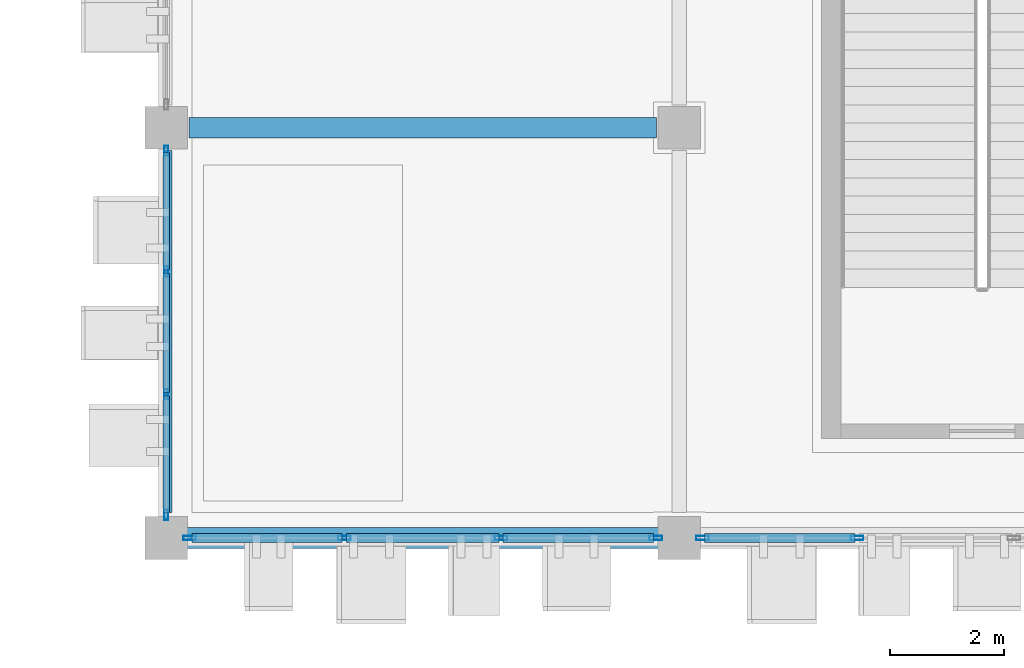
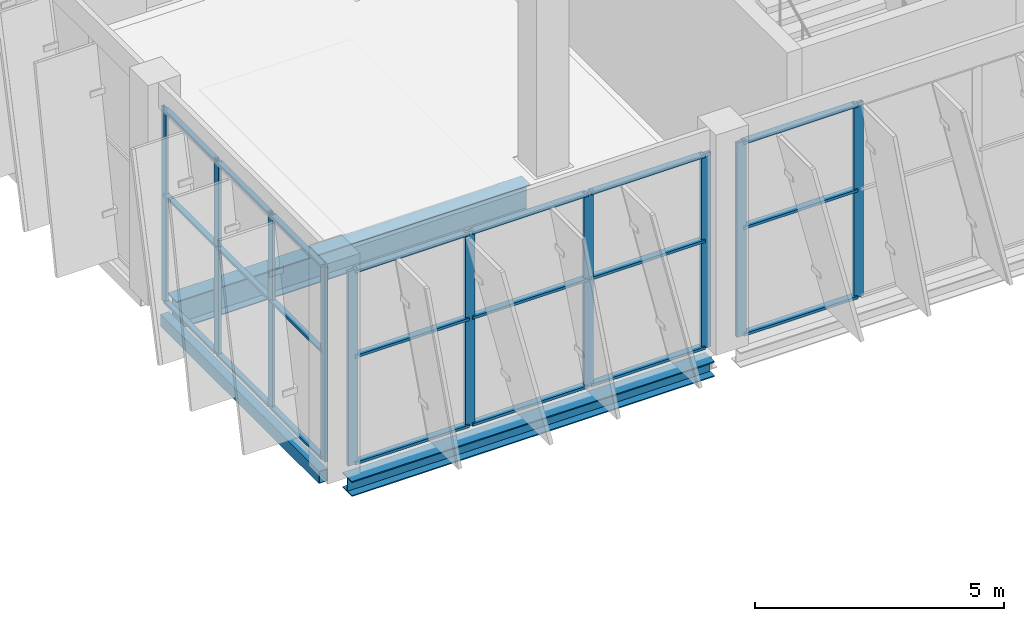
# One storey, part 42 of 189: 31 members, 3 beams, 3 elements without a shape of their own.
"""IFC4 building model written with IfcOpenShell, lengths in metres."""

from ifc_helpers import new_model, si_unit, direction, frame, origin, origin_2d, place, context, subcontext, project, spatial, hollow_rectangle, i_section, extrude, material, layer, layer_set, material_profile, profile_set, type_object, element, aggregate, save


model = new_model("IFC4")

# Units and contexts
model_context = context("Model", 3, precision=1e-05, world=origin(), true_north=direction((0.0, 1.0)))
body_context = subcontext(model_context, "Body", "Model", "MODEL_VIEW")
ifc_project = project(units=[si_unit("LENGTHUNIT", "METRE"), si_unit("AREAUNIT", "SQUARE_METRE"), si_unit("VOLUMEUNIT", "CUBIC_METRE"), si_unit("PLANEANGLEUNIT", "RADIAN"), si_unit("MASSUNIT", "GRAM", prefix="KILO")], contexts=[model_context])

# Site, building, storey
site_placement = place(None, origin())
site = spatial("IfcSite", under=ifc_project, at=site_placement, CompositionType="ELEMENT")
building_placement = place(site_placement, origin())
building = spatial("IfcBuilding", under=site, at=building_placement, Name="Celestram Park Convention Centre", CompositionType="ELEMENT")
storey_placement = place(building_placement, frame((0.0, 0.0, 5.39990234375)))
storey = spatial("IfcBuildingStorey", under=building, at=storey_placement, Name="L01", CompositionType="ELEMENT", Elevation=5.39990234375)

# Curtain wall, members
ifc_material_1 = material(Name="Anodised Aluminium Alloy 6063-T6", Category="aluminium")
ifc_layer_1 = layer(ifc_material_1, 0.179931640625)
ifc_layer_set_1 = layer_set([ifc_layer_1], Name="Anodised Aluminium Alloy 6063-T6")
curtain_wall_type_1 = type_object("IfcCurtainWallType", Name="ARC-CW-645X476", PredefinedType="NOTDEFINED", material=ifc_layer_set_1)
curtain_wall_1_placement = place(storey_placement, origin())
curtain_wall_1 = element("IfcCurtainWall", 1, at=curtain_wall_1_placement, inside=storey, type_object=curtain_wall_type_1, Name="Unitised curtain wall CU-L01-038", PredefinedType="NOTDEFINED")
ifc_material_profile_1 = material_profile(ifc_material_1, hollow_rectangle(XDim=0.06494140625, YDim=0.179931640625, WallThickness=0.00390625, at=origin_2d()), Name="ALU65X180X4")
ifc_profile_set_1 = profile_set([ifc_material_profile_1], Name="Anodised Aluminium Alloy 6063-T6")
member_type_1 = type_object("IfcMemberType", Name="ARC-CWM-150", PredefinedType="MULLION", material=ifc_profile_set_1)
member_1_placement = place(storey_placement, frame((144.0, 0.405517578125, 0.0), z_axis=(0.0, 0.0, 1.0), x_axis=(-1.0, 0.0, 0.0)))
member_1 = element("IfcMember", 2, at=member_1_placement, type_object=member_type_1, Name="CW-64X47 mullion 1", PredefinedType="MULLION", context=body_context, shape_type="SweptSolid", body=[
    extrude(hollow_rectangle(XDim=0.06494140625, YDim=0.179931640625, WallThickness=0.00390625, at=origin_2d()), origin(), (0.0, 0.0, 1.0), 4.76416015625),
])
member_2_placement = place(storey_placement, frame((144.0, 2.5244140625, 0.0), z_axis=(0.0, 0.0, 1.0), x_axis=(-1.0, 0.0, 0.0)))
member_2 = element("IfcMember", 3, at=member_2_placement, type_object=member_type_1, Name="CW-64X47 mullion 2", PredefinedType="MULLION", context=body_context, shape_type="SweptSolid", body=[
    extrude(hollow_rectangle(XDim=0.06494140625, YDim=0.179931640625, WallThickness=0.00390625, at=origin_2d()), origin(), (0.0, 0.0, 1.0), 4.76416015625),
])
member_3_placement = place(storey_placement, frame((144.0, 4.67578125, 0.0), z_axis=(0.0, 0.0, 1.0), x_axis=(-1.0, 0.0, 0.0)))
member_3 = element("IfcMember", 4, at=member_3_placement, type_object=member_type_1, Name="CW-64X47 mullion 3", PredefinedType="MULLION", context=body_context, shape_type="SweptSolid", body=[
    extrude(hollow_rectangle(XDim=0.06494140625, YDim=0.179931640625, WallThickness=0.00390625, at=origin_2d()), origin(), (0.0, 0.0, 1.0), 4.76416015625),
])
member_4_placement = place(storey_placement, frame((144.0, 6.79443359375, 0.0), z_axis=(0.0, 0.0, 1.0), x_axis=(-1.0, 0.0, 0.0)))
member_4 = element("IfcMember", 5, at=member_4_placement, type_object=member_type_1, Name="CW-64X47 mullion 4", PredefinedType="MULLION", context=body_context, shape_type="SweptSolid", body=[
    extrude(hollow_rectangle(XDim=0.06494140625, YDim=0.179931640625, WallThickness=0.00390625, at=origin_2d()), origin(), (0.0, 0.0, 1.0), 4.76416015625),
])

ifc_layer_2 = layer(ifc_material_1, 0.179931640625)
ifc_layer_set_2 = layer_set([ifc_layer_2], Name="Anodised Aluminium Alloy 6063-T6")
curtain_wall_type_2 = type_object("IfcCurtainWallType", Name="ARC-CW-825X476", PredefinedType="NOTDEFINED", material=ifc_layer_set_2)
curtain_wall_2_placement = place(storey_placement, origin())
curtain_wall_2 = element("IfcCurtainWall", 6, at=curtain_wall_2_placement, inside=storey, type_object=curtain_wall_type_2, Name="Unitised curtain wall CU-L01-111", PredefinedType="NOTDEFINED")
ifc_material_profile_2 = material_profile(ifc_material_1, hollow_rectangle(XDim=0.074951171875, YDim=0.219970703125, WallThickness=0.00390625, at=origin_2d()), Name="ALU75X220X4")
ifc_profile_set_2 = profile_set([ifc_material_profile_2], Name="Anodised Aluminium Alloy 6063-T6")
member_type_2 = type_object("IfcMemberType", Name="ARC-CWM-180", PredefinedType="MULLION", material=ifc_profile_set_2)
member_5_placement = place(storey_placement, frame((156.124267578125, 0.0, 0.0), z_axis=(0.0, 0.0, 1.0), x_axis=(0.0, -1.0, 0.0)))
member_5 = element("IfcMember", 7, at=member_5_placement, type_object=member_type_2, Name="CW-82X47 mullion 3", PredefinedType="MULLION", context=body_context, shape_type="SweptSolid", body=[
    extrude(hollow_rectangle(XDim=0.074951171875, YDim=0.219970703125, WallThickness=0.00390625, at=origin_2d()), origin(), (0.0, 0.0, 1.0), 4.76416015625),
])
member_6_placement = place(storey_placement, frame((153.410400390625, 0.0, 0.0), z_axis=(0.0, 0.0, 1.0), x_axis=(0.0, -1.0, 0.0)))
member_6 = element("IfcMember", 8, at=member_6_placement, type_object=member_type_2, Name="CW-82X47 mullion 4", PredefinedType="MULLION", context=body_context, shape_type="SweptSolid", body=[
    extrude(hollow_rectangle(XDim=0.074951171875, YDim=0.219970703125, WallThickness=0.00390625, at=origin_2d()), origin(), (0.0, 0.0, 1.0), 4.76416015625),
])

curtain_wall_3_placement = place(storey_placement, origin())
curtain_wall_3 = element("IfcCurtainWall", 9, at=curtain_wall_3_placement, inside=storey, type_object=curtain_wall_type_2, Name="Unitised curtain wall CU-L01-112", PredefinedType="NOTDEFINED")
member_7_placement = place(storey_placement, frame((152.589599609375, 0.0, 0.0), z_axis=(0.0, 0.0, 1.0), x_axis=(0.0, -1.0, 0.0)))
member_7 = element("IfcMember", 10, at=member_7_placement, type_object=member_type_2, Name="CW-82X47 mullion 1", PredefinedType="MULLION", context=body_context, shape_type="SweptSolid", body=[
    extrude(hollow_rectangle(XDim=0.074951171875, YDim=0.219970703125, WallThickness=0.00390625, at=origin_2d()), origin(), (0.0, 0.0, 1.0), 4.76416015625),
])
member_8_placement = place(storey_placement, frame((149.875732421875, 0.0, 0.0), z_axis=(0.0, 0.0, 1.0), x_axis=(0.0, -1.0, 0.0)))
member_8 = element("IfcMember", 11, at=member_8_placement, type_object=member_type_2, Name="CW-82X47 mullion 2", PredefinedType="MULLION", context=body_context, shape_type="SweptSolid", body=[
    extrude(hollow_rectangle(XDim=0.074951171875, YDim=0.219970703125, WallThickness=0.00390625, at=origin_2d()), origin(), (0.0, 0.0, 1.0), 4.76416015625),
])
member_9_placement = place(storey_placement, frame((147.124267578125, 0.0, 0.0), z_axis=(0.0, 0.0, 1.0), x_axis=(0.0, -1.0, 0.0)))
member_9 = element("IfcMember", 12, at=member_9_placement, type_object=member_type_2, Name="CW-82X47 mullion 3", PredefinedType="MULLION", context=body_context, shape_type="SweptSolid", body=[
    extrude(hollow_rectangle(XDim=0.074951171875, YDim=0.219970703125, WallThickness=0.00390625, at=origin_2d()), origin(), (0.0, 0.0, 1.0), 4.76416015625),
])
member_10_placement = place(storey_placement, frame((144.410400390625, 0.0, 0.0), z_axis=(0.0, 0.0, 1.0), x_axis=(0.0, -1.0, 0.0)))
member_10 = element("IfcMember", 13, at=member_10_placement, type_object=member_type_2, Name="CW-82X47 mullion 4", PredefinedType="MULLION", context=body_context, shape_type="SweptSolid", body=[
    extrude(hollow_rectangle(XDim=0.074951171875, YDim=0.219970703125, WallThickness=0.00390625, at=origin_2d()), origin(), (0.0, 0.0, 1.0), 4.76416015625),
])

# Member
ifc_material_profile_3 = material_profile(ifc_material_1, hollow_rectangle(XDim=0.1201171875, YDim=0.06005859375, WallThickness=0.0029296875, at=origin_2d()), Name="ALU120X60X3")
ifc_profile_set_3 = profile_set([ifc_material_profile_3], Name="Anodised Aluminium Alloy 6063-T6")
member_type_3 = type_object("IfcMemberType", Name="ARC-CWT-120", PredefinedType="USERDEFINED", material=ifc_profile_set_3)
member_11_placement = place(storey_placement, frame((144.0, 0.43798828125, 0.030029296875), z_axis=(0.0, 1.0, 0.0), x_axis=(-1.0, 0.0, 0.0)))
member_11 = element("IfcMember", 14, at=member_11_placement, type_object=member_type_3, Name="CW-64X47 transom 1.1", ObjectType="TRANSOM", PredefinedType="USERDEFINED", context=body_context, shape_type="SweptSolid", body=[
    extrude(hollow_rectangle(XDim=0.1201171875, YDim=0.06005859375, WallThickness=0.0029296875, at=origin_2d()), origin(), (0.0, 0.0, 1.0), 2.053955078125),
])

member_12_placement = place(storey_placement, frame((144.0, 0.43798828125, 2.650146484375), z_axis=(0.0, 1.0, 0.0), x_axis=(-1.0, 0.0, 0.0)))
member_12 = element("IfcMember", 15, at=member_12_placement, type_object=member_type_3, Name="CW-64X47 transom 1.2", ObjectType="TRANSOM", PredefinedType="USERDEFINED", context=body_context, shape_type="SweptSolid", body=[
    extrude(hollow_rectangle(XDim=0.1201171875, YDim=0.06005859375, WallThickness=0.0029296875, at=origin_2d()), origin(), (0.0, 0.0, 1.0), 2.053955078125),
])

member_13_placement = place(storey_placement, frame((144.0, 0.43798828125, 4.734130859375), z_axis=(0.0, 1.0, 0.0), x_axis=(-1.0, 0.0, 0.0)))
member_13 = element("IfcMember", 16, at=member_13_placement, type_object=member_type_3, Name="CW-64X47 transom 1.3", ObjectType="TRANSOM", PredefinedType="USERDEFINED", context=body_context, shape_type="SweptSolid", body=[
    extrude(hollow_rectangle(XDim=0.1201171875, YDim=0.06005859375, WallThickness=0.0029296875, at=origin_2d()), origin(), (0.0, 0.0, 1.0), 2.053955078125),
])

member_14_placement = place(storey_placement, frame((144.0, 2.556884765625, 0.030029296875), z_axis=(0.0, 1.0, 0.0), x_axis=(-1.0, 0.0, 0.0)))
member_14 = element("IfcMember", 17, at=member_14_placement, type_object=member_type_3, Name="CW-64X47 transom 2.1", ObjectType="TRANSOM", PredefinedType="USERDEFINED", context=body_context, shape_type="SweptSolid", body=[
    extrude(hollow_rectangle(XDim=0.1201171875, YDim=0.06005859375, WallThickness=0.0029296875, at=origin_2d()), origin(), (0.0, 0.0, 1.0), 2.086181640625),
])

member_15_placement = place(storey_placement, frame((144.0, 2.556884765625, 2.650146484375), z_axis=(0.0, 1.0, 0.0), x_axis=(-1.0, 0.0, 0.0)))
member_15 = element("IfcMember", 18, at=member_15_placement, type_object=member_type_3, Name="CW-64X47 transom 2.2", ObjectType="TRANSOM", PredefinedType="USERDEFINED", context=body_context, shape_type="SweptSolid", body=[
    extrude(hollow_rectangle(XDim=0.1201171875, YDim=0.06005859375, WallThickness=0.0029296875, at=origin_2d()), origin(), (0.0, 0.0, 1.0), 2.086181640625),
])

member_16_placement = place(storey_placement, frame((144.0, 2.556884765625, 4.734130859375), z_axis=(0.0, 1.0, 0.0), x_axis=(-1.0, 0.0, 0.0)))
member_16 = element("IfcMember", 19, at=member_16_placement, type_object=member_type_3, Name="CW-64X47 transom 2.3", ObjectType="TRANSOM", PredefinedType="USERDEFINED", context=body_context, shape_type="SweptSolid", body=[
    extrude(hollow_rectangle(XDim=0.1201171875, YDim=0.06005859375, WallThickness=0.0029296875, at=origin_2d()), origin(), (0.0, 0.0, 1.0), 2.086181640625),
])

member_17_placement = place(storey_placement, frame((144.0, 4.708251953125, 0.030029296875), z_axis=(0.0, 1.0, 0.0), x_axis=(-1.0, 0.0, 0.0)))
member_17 = element("IfcMember", 20, at=member_17_placement, type_object=member_type_3, Name="CW-64X47 transom 3.1", ObjectType="TRANSOM", PredefinedType="USERDEFINED", context=body_context, shape_type="SweptSolid", body=[
    extrude(hollow_rectangle(XDim=0.1201171875, YDim=0.06005859375, WallThickness=0.0029296875, at=origin_2d()), origin(), (0.0, 0.0, 1.0), 2.0537109375),
])

member_18_placement = place(storey_placement, frame((144.0, 4.708251953125, 2.650146484375), z_axis=(0.0, 1.0, 0.0), x_axis=(-1.0, 0.0, 0.0)))
member_18 = element("IfcMember", 21, at=member_18_placement, type_object=member_type_3, Name="CW-64X47 transom 3.2", ObjectType="TRANSOM", PredefinedType="USERDEFINED", context=body_context, shape_type="SweptSolid", body=[
    extrude(hollow_rectangle(XDim=0.1201171875, YDim=0.06005859375, WallThickness=0.0029296875, at=origin_2d()), origin(), (0.0, 0.0, 1.0), 2.0537109375),
])

member_19_placement = place(storey_placement, frame((144.0, 4.708251953125, 4.734130859375), z_axis=(0.0, 1.0, 0.0), x_axis=(-1.0, 0.0, 0.0)))
member_19 = element("IfcMember", 22, at=member_19_placement, type_object=member_type_3, Name="CW-64X47 transom 3.3", ObjectType="TRANSOM", PredefinedType="USERDEFINED", context=body_context, shape_type="SweptSolid", body=[
    extrude(hollow_rectangle(XDim=0.1201171875, YDim=0.06005859375, WallThickness=0.0029296875, at=origin_2d()), origin(), (0.0, 0.0, 1.0), 2.0537109375),
])

aggregate(curtain_wall_1, [member_1, member_2, member_3, member_4, member_11, member_12, member_13, member_14, member_15, member_16, member_17, member_18, member_19])

ifc_material_profile_4 = material_profile(ifc_material_1, hollow_rectangle(XDim=0.14990234375, YDim=0.06494140625, WallThickness=0.0029296875, at=origin_2d()), Name="ALU150X65X3")
ifc_profile_set_4 = profile_set([ifc_material_profile_4], Name="Anodised Aluminium Alloy 6063-T6")
member_type_4 = type_object("IfcMemberType", Name="ARC-CWT-150", PredefinedType="USERDEFINED", material=ifc_profile_set_4)
member_20_placement = place(storey_placement, frame((156.0869140625, 0.0, 0.03271484375), z_axis=(-1.0, 0.0, 0.0), x_axis=(0.0, -1.0, 0.0)))
member_20 = element("IfcMember", 23, at=member_20_placement, type_object=member_type_4, Name="CW-82X47 transom 3.1", ObjectType="TRANSOM", PredefinedType="USERDEFINED", context=body_context, shape_type="SweptSolid", body=[
    extrude(hollow_rectangle(XDim=0.14990234375, YDim=0.06494140625, WallThickness=0.0029296875, at=origin_2d()), origin(), (0.0, 0.0, 1.0), 2.638916015625),
])

member_21_placement = place(storey_placement, frame((156.0869140625, 0.0, 2.650146484375), z_axis=(-1.0, 0.0, 0.0), x_axis=(0.0, -1.0, 0.0)))
member_21 = element("IfcMember", 24, at=member_21_placement, type_object=member_type_4, Name="CW-82X47 transom 3.2", ObjectType="TRANSOM", PredefinedType="USERDEFINED", context=body_context, shape_type="SweptSolid", body=[
    extrude(hollow_rectangle(XDim=0.14990234375, YDim=0.06494140625, WallThickness=0.0029296875, at=origin_2d()), origin(), (0.0, 0.0, 1.0), 2.638916015625),
])

member_22_placement = place(storey_placement, frame((156.0869140625, 0.0, 4.731689453125), z_axis=(-1.0, 0.0, 0.0), x_axis=(0.0, -1.0, 0.0)))
member_22 = element("IfcMember", 25, at=member_22_placement, type_object=member_type_4, Name="CW-82X47 transom 3.3", ObjectType="TRANSOM", PredefinedType="USERDEFINED", context=body_context, shape_type="SweptSolid", body=[
    extrude(hollow_rectangle(XDim=0.14990234375, YDim=0.06494140625, WallThickness=0.0029296875, at=origin_2d()), origin(), (0.0, 0.0, 1.0), 2.638916015625),
])

aggregate(curtain_wall_2, [member_5, member_6, member_20, member_21, member_22])

member_23_placement = place(storey_placement, frame((152.552001953125, 0.0, 0.03271484375), z_axis=(-1.0, 0.0, 0.0), x_axis=(0.0, -1.0, 0.0)))
member_23 = element("IfcMember", 26, at=member_23_placement, type_object=member_type_4, Name="CW-82X47 transom 1.1", ObjectType="TRANSOM", PredefinedType="USERDEFINED", context=body_context, shape_type="SweptSolid", body=[
    extrude(hollow_rectangle(XDim=0.14990234375, YDim=0.06494140625, WallThickness=0.0029296875, at=origin_2d()), origin(), (0.0, 0.0, 1.0), 2.638916015625),
])

member_24_placement = place(storey_placement, frame((152.552001953125, 0.0, 2.650146484375), z_axis=(-1.0, 0.0, 0.0), x_axis=(0.0, -1.0, 0.0)))
member_24 = element("IfcMember", 27, at=member_24_placement, type_object=member_type_4, Name="CW-82X47 transom 1.2", ObjectType="TRANSOM", PredefinedType="USERDEFINED", context=body_context, shape_type="SweptSolid", body=[
    extrude(hollow_rectangle(XDim=0.14990234375, YDim=0.06494140625, WallThickness=0.0029296875, at=origin_2d()), origin(), (0.0, 0.0, 1.0), 2.638916015625),
])

member_25_placement = place(storey_placement, frame((152.552001953125, 0.0, 4.731689453125), z_axis=(-1.0, 0.0, 0.0), x_axis=(0.0, -1.0, 0.0)))
member_25 = element("IfcMember", 28, at=member_25_placement, type_object=member_type_4, Name="CW-82X47 transom 1.3", ObjectType="TRANSOM", PredefinedType="USERDEFINED", context=body_context, shape_type="SweptSolid", body=[
    extrude(hollow_rectangle(XDim=0.14990234375, YDim=0.06494140625, WallThickness=0.0029296875, at=origin_2d()), origin(), (0.0, 0.0, 1.0), 2.638916015625),
])

member_26_placement = place(storey_placement, frame((149.838134765625, 0.0, 0.03271484375), z_axis=(-1.0, 0.0, 0.0), x_axis=(0.0, -1.0, 0.0)))
member_26 = element("IfcMember", 29, at=member_26_placement, type_object=member_type_4, Name="CW-82X47 transom 2.1", ObjectType="TRANSOM", PredefinedType="USERDEFINED", context=body_context, shape_type="SweptSolid", body=[
    extrude(hollow_rectangle(XDim=0.14990234375, YDim=0.06494140625, WallThickness=0.0029296875, at=origin_2d()), origin(), (0.0, 0.0, 1.0), 2.67626953125),
])

member_27_placement = place(storey_placement, frame((149.838134765625, 0.0, 2.650146484375), z_axis=(-1.0, 0.0, 0.0), x_axis=(0.0, -1.0, 0.0)))
member_27 = element("IfcMember", 30, at=member_27_placement, type_object=member_type_4, Name="CW-82X47 transom 2.2", ObjectType="TRANSOM", PredefinedType="USERDEFINED", context=body_context, shape_type="SweptSolid", body=[
    extrude(hollow_rectangle(XDim=0.14990234375, YDim=0.06494140625, WallThickness=0.0029296875, at=origin_2d()), origin(), (0.0, 0.0, 1.0), 2.67626953125),
])

member_28_placement = place(storey_placement, frame((149.838134765625, 0.0, 4.731689453125), z_axis=(-1.0, 0.0, 0.0), x_axis=(0.0, -1.0, 0.0)))
member_28 = element("IfcMember", 31, at=member_28_placement, type_object=member_type_4, Name="CW-82X47 transom 2.3", ObjectType="TRANSOM", PredefinedType="USERDEFINED", context=body_context, shape_type="SweptSolid", body=[
    extrude(hollow_rectangle(XDim=0.14990234375, YDim=0.06494140625, WallThickness=0.0029296875, at=origin_2d()), origin(), (0.0, 0.0, 1.0), 2.67626953125),
])

member_29_placement = place(storey_placement, frame((147.0869140625, 0.0, 0.03271484375), z_axis=(-1.0, 0.0, 0.0), x_axis=(0.0, -1.0, 0.0)))
member_29 = element("IfcMember", 32, at=member_29_placement, type_object=member_type_4, Name="CW-82X47 transom 3.1", ObjectType="TRANSOM", PredefinedType="USERDEFINED", context=body_context, shape_type="SweptSolid", body=[
    extrude(hollow_rectangle(XDim=0.14990234375, YDim=0.06494140625, WallThickness=0.0029296875, at=origin_2d()), origin(), (0.0, 0.0, 1.0), 2.638916015625),
])

member_30_placement = place(storey_placement, frame((147.0869140625, 0.0, 2.650146484375), z_axis=(-1.0, 0.0, 0.0), x_axis=(0.0, -1.0, 0.0)))
member_30 = element("IfcMember", 33, at=member_30_placement, type_object=member_type_4, Name="CW-82X47 transom 3.2", ObjectType="TRANSOM", PredefinedType="USERDEFINED", context=body_context, shape_type="SweptSolid", body=[
    extrude(hollow_rectangle(XDim=0.14990234375, YDim=0.06494140625, WallThickness=0.0029296875, at=origin_2d()), origin(), (0.0, 0.0, 1.0), 2.638916015625),
])

member_31_placement = place(storey_placement, frame((147.0869140625, 0.0, 4.731689453125), z_axis=(-1.0, 0.0, 0.0), x_axis=(0.0, -1.0, 0.0)))
member_31 = element("IfcMember", 34, at=member_31_placement, type_object=member_type_4, Name="CW-82X47 transom 3.3", ObjectType="TRANSOM", PredefinedType="USERDEFINED", context=body_context, shape_type="SweptSolid", body=[
    extrude(hollow_rectangle(XDim=0.14990234375, YDim=0.06494140625, WallThickness=0.0029296875, at=origin_2d()), origin(), (0.0, 0.0, 1.0), 2.638916015625),
])

aggregate(curtain_wall_3, [member_7, member_8, member_9, member_10, member_23, member_24, member_25, member_26, member_27, member_28, member_29, member_30, member_31])

# Beams
ifc_material_2 = material(Name="Steel ASTM A992 Grade 50", Category="steel")
ifc_material_profile_5 = material_profile(ifc_material_2, i_section(OverallWidth=0.35595703125, OverallDepth=0.696044921875, WebThickness=0.015380859375, FlangeThickness=0.02490234375, at=origin_2d()), Name="W27X146")
ifc_profile_set_5 = profile_set([ifc_material_profile_5], Name="Steel ASTM A992 Grade 50")
beam_type_1 = type_object("IfcBeamType", Name="STR-BM-W27X146", PredefinedType="BEAM", material=ifc_profile_set_5)
beam_1_placement = place(storey_placement, frame((144.39794921875, 7.199951171875, -0.6279296875), z_axis=(1.0, 0.0, 0.0), x_axis=(0.0, 1.0, 0.0)))
element("IfcBeam", 35, at=beam_1_placement, inside=storey, type_object=beam_type_1, Name="Primary X-girder BG-L01-0327", PredefinedType="BEAM", context=body_context, shape_type="SweptSolid", body=[
    extrude(i_section(OverallWidth=0.35595703125, OverallDepth=0.696044921875, WebThickness=0.015380859375, FlangeThickness=0.02490234375, at=origin_2d()), origin(), (0.0, 0.0, 1.0), 8.2041015625),
])
ifc_material_3 = material(Name="Steel ASTM A500 Grade C", Category="steel")
ifc_material_profile_6 = material_profile(ifc_material_3, hollow_rectangle(XDim=0.199951171875, YDim=0.300048828125, WallThickness=0.011962890625, at=origin_2d()), Name="HSS300X200X12")
ifc_profile_set_6 = profile_set([ifc_material_profile_6], Name="Steel ASTM A500 Grade C")
beam_type_2 = type_object("IfcBeamType", Name="STR-SPN-HSS300X200", PredefinedType="SPANDREL", material=ifc_profile_set_6)
beam_2_placement = place(storey_placement, frame((144.0, 0.447998046875, -0.429931640625), z_axis=(0.0, 1.0, 0.0), x_axis=(-1.0, 0.0, 0.0)))
element("IfcBeam", 36, at=beam_2_placement, inside=storey, type_object=beam_type_2, Name="Primary Y-girder BG-L01-0326", PredefinedType="SPANDREL", context=body_context, shape_type="SweptSolid", body=[
    extrude(hollow_rectangle(XDim=0.199951171875, YDim=0.300048828125, WallThickness=0.011962890625, at=origin_2d()), origin(), (0.0, 0.0, 1.0), 6.35400390625),
])
ifc_material_profile_7 = material_profile(ifc_material_2, i_section(OverallWidth=0.373046875, OverallDepth=0.373046875, WebThickness=0.016357421875, FlangeThickness=0.026123046875, at=origin_2d()), Name="W14X132")
ifc_profile_set_7 = profile_set([ifc_material_profile_7], Name="Steel ASTM A992 Grade 50")
beam_type_3 = type_object("IfcBeamType", Name="STR-SPN-W14X132", PredefinedType="SPANDREL", material=ifc_profile_set_7)
beam_3_placement = place(storey_placement, frame((144.298095703125, 0.0, -0.46630859375), z_axis=(1.0, 0.0, 0.0), x_axis=(0.0, 1.0, 0.0)))
element("IfcBeam", 37, at=beam_3_placement, inside=storey, type_object=beam_type_3, Name="Primary X-girder BG-L01-0325", PredefinedType="SPANDREL", context=body_context, shape_type="SweptSolid", body=[
    extrude(i_section(OverallWidth=0.373046875, OverallDepth=0.373046875, WebThickness=0.016357421875, FlangeThickness=0.026123046875, at=origin_2d()), origin(), (0.0, 0.0, 1.0), 8.40380859375),
])

save(model, "model.ifc")
